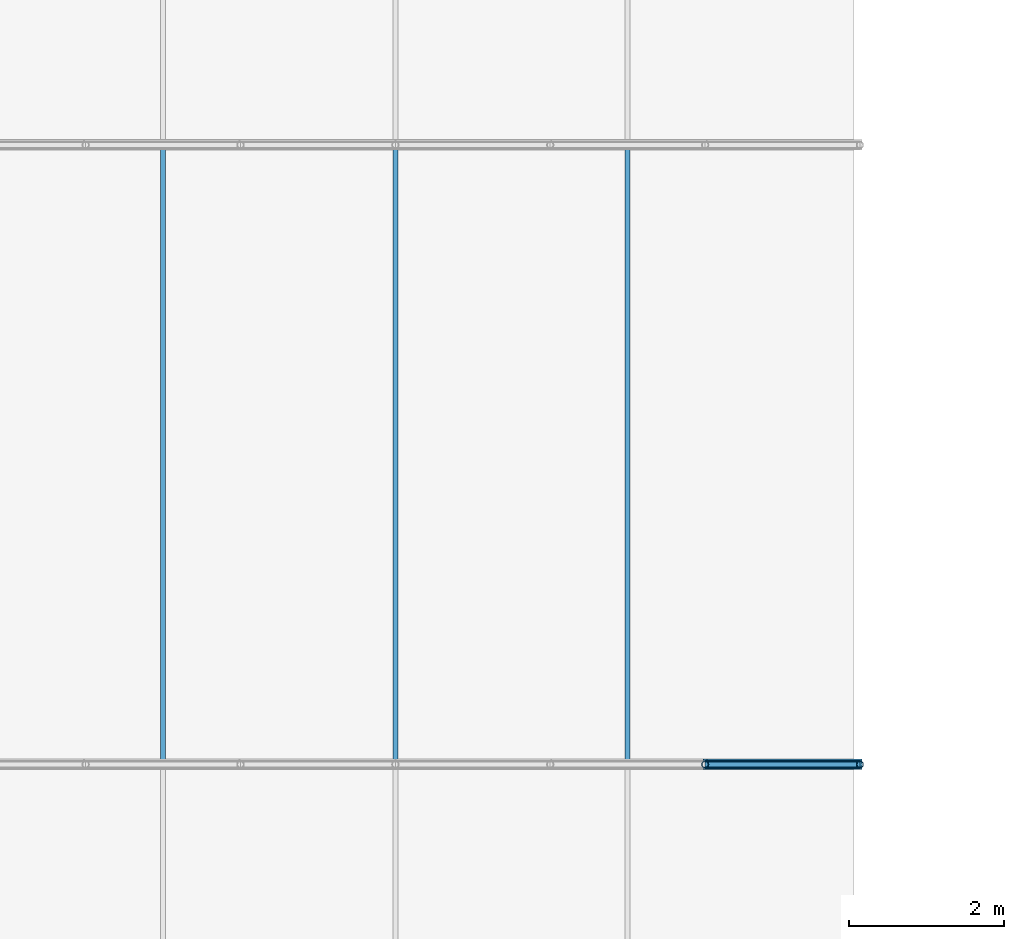
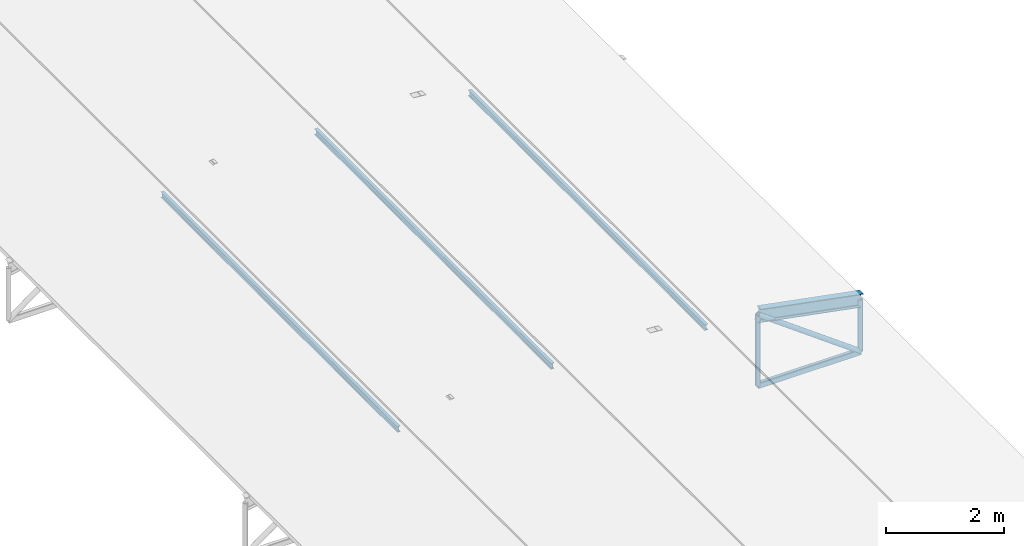
# One storey, part 37 of 54: 8 members.
"""IFC4 building model written with IfcOpenShell, lengths in metres."""

import ifcopenshell
import ifcopenshell.guid

model = None  # the IFC model being written
_history = None  # IfcOwnerHistory: only IFC2X3 demands one
_inside = {}  # id of a spatial element -> (the spatial element, [elements in it])
_under = {}  # id of a project, library or spatial element -> (it, [spatial elements below it])
_declared = {}  # id of a project -> (the project, [libraries it declares])
_typed = {}  # id of a type object -> (the type object, [elements of that type])
_made_of = {}  # id of a material, layer set ... -> (it, [elements and type objects made of it])


def new_model(schema):
    """Start an empty IFC model of exactly this schema.

    Asked for "IFC4X3", IfcOpenShell would pick the latest addendum, in which some entities
    have other attributes; the version numbers below select the first issue.
    IFC2X3 requires an IfcOwnerHistory on every rooted entity: one is made here for all.
    """
    global model, _history
    if schema == "IFC4X3":
        model = ifcopenshell.file(schema_version=(4, 3, 0, 0))
    else:
        model = ifcopenshell.file(schema=schema)
    _inside.clear()
    _under.clear()
    _declared.clear()
    _typed.clear()
    _made_of.clear()
    _history = None
    if model.schema == "IFC2X3":
        org = make("IfcOrganization", Name="unknown")
        user = make(
            "IfcPersonAndOrganization",
            ThePerson=make("IfcPerson", FamilyName="unknown"),
            TheOrganization=org,
        )
        app = make(
            "IfcApplication",
            ApplicationDeveloper=org,
            Version="unknown",
            ApplicationFullName="unknown",
            ApplicationIdentifier="unknown",
        )
        _history = make(
            "IfcOwnerHistory",
            OwningUser=user,
            OwningApplication=app,
            ChangeAction="ADDED",
            CreationDate=0,
        )
    return model


def make(cls, **values):
    """One entity of the class cls with the attributes given. An attribute that is None is left unset."""
    return model.create_entity(
        cls, **{name: value for name, value in values.items() if value is not None}
    )


def rooted(cls, **values):
    """An entity with a GlobalId (a new one), such as an element, a storey or a relation."""
    return make(cls, GlobalId=ifcopenshell.guid.new(), OwnerHistory=_history, **values)


def si_unit(unit_type, name, prefix=None):
    """IfcSIUnit, for example si_unit("LENGTHUNIT", "METRE", prefix="MILLI")."""
    return make("IfcSIUnit", UnitType=unit_type, Prefix=prefix, Name=name)


def derived_unit(unit_type, elements):
    """IfcDerivedUnit: a product of units, each with its exponent."""
    return make(
        "IfcDerivedUnit",
        Elements=[
            make("IfcDerivedUnitElement", Unit=unit, Exponent=power)
            for unit, power in elements
        ],
        UnitType=unit_type,
    )


def assignment(units):
    """IfcUnitAssignment: the units of a project."""
    return None if units is None else make("IfcUnitAssignment", Units=units)


def point(xyz):
    """IfcCartesianPoint."""
    return None if xyz is None else make("IfcCartesianPoint", Coordinates=xyz)


def direction(xyz):
    """IfcDirection."""
    return None if xyz is None else make("IfcDirection", DirectionRatios=xyz)


def frame(location, z_axis=None, x_axis=None):
    """IfcAxis2Placement3D, a coordinate frame: its origin and axes. An axis left out is left unset."""
    return make(
        "IfcAxis2Placement3D",
        Location=point(location),
        Axis=direction(z_axis),
        RefDirection=direction(x_axis),
    )


def frame_2d(location, x_axis=None):
    """IfcAxis2Placement2D, a coordinate frame in the plane: its origin and x axis."""
    return make(
        "IfcAxis2Placement2D", Location=point(location), RefDirection=direction(x_axis)
    )


def origin():
    """The frame at (0, 0, 0) with its axes left unset."""
    return frame((0.0, 0.0, 0.0))


def origin_2d():
    """The frame at (0, 0) in the plane with its x axis left unset."""
    return frame_2d((0.0, 0.0))


def place(relative_to, where):
    """IfcLocalPlacement: puts the frame where relative to a parent placement (None: the world)."""
    return make(
        "IfcLocalPlacement", PlacementRelTo=relative_to, RelativePlacement=where
    )


def context(
    kind, dimensions, precision=None, world=None, true_north=None, identifier=None
):
    """IfcGeometricRepresentationContext, for example the 3D "Model" context."""
    return make(
        "IfcGeometricRepresentationContext",
        ContextIdentifier=identifier,
        ContextType=kind,
        CoordinateSpaceDimension=dimensions,
        Precision=precision,
        WorldCoordinateSystem=world,
        TrueNorth=true_north,
    )


def subcontext(parent, identifier, kind, view, scale=None):
    """IfcGeometricRepresentationSubContext, for example "Body" below "Model"."""
    return make(
        "IfcGeometricRepresentationSubContext",
        ContextIdentifier=identifier,
        ContextType=kind,
        ParentContext=parent,
        TargetScale=scale,
        TargetView=view,
    )


def project(units=None, contexts=None):
    """IfcProject with its units and contexts."""
    return rooted(
        "IfcProject",
        Name="project",
        RepresentationContexts=contexts,
        UnitsInContext=assignment(units),
    )


def spatial(cls, under=None, at=None, **own):
    """A site, building, storey or space (cls), placed at a placement, below another one or the project."""
    s = rooted(cls, ObjectPlacement=at, **own)
    if under is not None:
        _under.setdefault(under.id(), (under, []))[1].append(s)
    return s


def profile(cls, at=None, kind="AREA", **sizes):
    """A parametric profile (cls). Its sizes go by their IFC names, for example OverallWidth=200.0."""
    return make(cls, ProfileType=kind, Position=at, **sizes)


def hollow_rectangle(**sizes):
    """IfcRectangleHollowProfileDef."""
    return profile("IfcRectangleHollowProfileDef", **sizes)


def hollow_circle(**sizes):
    """IfcCircleHollowProfileDef."""
    return profile("IfcCircleHollowProfileDef", **sizes)


def i_section(**sizes):
    """IfcIShapeProfileDef."""
    return profile("IfcIShapeProfileDef", **sizes)


def extrude(swept, where, along, depth):
    """IfcExtrudedAreaSolid: the profile swept, set in the frame where, extruded along a direction by depth."""
    return make(
        "IfcExtrudedAreaSolid",
        SweptArea=swept,
        Position=where,
        ExtrudedDirection=direction(along),
        Depth=depth,
    )


def shape(context_of_items, identifier, shape_type, items):
    """IfcShapeRepresentation: the items that make up one representation, for example the "Body"."""
    return make(
        "IfcShapeRepresentation",
        ContextOfItems=context_of_items,
        RepresentationIdentifier=identifier,
        RepresentationType=shape_type,
        Items=items,
    )


def material(Name=None, Category=None):
    """IfcMaterial."""
    return make("IfcMaterial", Name=Name, Category=Category)


def material_profile(
    of_material, cross_section, Name=None, Category=None, Priority=None
):
    """IfcMaterialProfile: a cross section and its material."""
    return make(
        "IfcMaterialProfile",
        Name=Name,
        Material=of_material,
        Profile=cross_section,
        Priority=Priority,
        Category=Category,
    )


def profile_set(profiles, Name=None, composite=None):
    """IfcMaterialProfileSet."""
    return make(
        "IfcMaterialProfileSet",
        Name=Name,
        MaterialProfiles=profiles,
        CompositeProfile=composite,
    )


def made_of(thing, what):
    """Note that an element or type object is made of a material, layer set ...; save() writes the relation."""
    if what is not None:
        _made_of.setdefault(what.id(), (what, []))[1].append(thing)
    return thing


def type_object(cls, material=None, **own):
    """A type object (cls), such as IfcWallType, which elements share."""
    return made_of(rooted(cls, **own), material)


def element(
    cls,
    number,
    at=None,
    inside=None,
    cuts=None,
    type_object=None,
    material=None,
    context=None,
    identifier="Body",
    shape_type=None,
    held_by="IfcProductDefinitionShape",
    body=None,
    shapes=None,
    **own,
):
    """One element of the class cls, such as IfcWall. Its Tag is "e" and its number.

    at: its placement. inside: the storey or other place that contains it. cuts: it is an
    opening in that element (IfcRelVoidsElement). A single representation is given by context,
    identifier, shape_type and body (its items); several are given by shapes. held_by: the class
    of the entity that holds the representations. save() writes the other relations.
    """
    e = rooted(cls, Tag="e%d" % number, ObjectPlacement=at, **own)
    if body is not None:
        shapes = [shape(context, identifier, shape_type, body)]
    if shapes is not None:
        e.Representation = make(held_by, Representations=shapes)
    if inside is not None:
        _inside.setdefault(inside.id(), (inside, []))[1].append(e)
    if cuts is not None:
        rooted(
            "IfcRelVoidsElement", RelatingBuildingElement=cuts, RelatedOpeningElement=e
        )
    if type_object is not None:
        _typed.setdefault(type_object.id(), (type_object, []))[1].append(e)
    return made_of(e, material)


def aggregate(whole, parts):
    """IfcRelAggregates: a whole, such as a stair, and the parts it consists of."""
    return rooted("IfcRelAggregates", RelatingObject=whole, RelatedObjects=parts)


def save(model, path):
    """Write the relations noted so far, then the file.

    IfcRelAggregates (storeys below a building ...), IfcRelContainedInSpatialStructure (elements
    in a storey), IfcRelDefinesByType, IfcRelAssociatesMaterial and IfcRelDeclares: one each for
    every whole, place, type object, material and project.
    """
    for whole, parts in _under.values():
        aggregate(whole, parts)
    for where, things in _inside.values():
        rooted(
            "IfcRelContainedInSpatialStructure",
            RelatedElements=things,
            RelatingStructure=where,
        )
    for kind, things in _typed.values():
        rooted("IfcRelDefinesByType", RelatedObjects=things, RelatingType=kind)
    for what, things in _made_of.values():
        rooted("IfcRelAssociatesMaterial", RelatedObjects=things, RelatingMaterial=what)
    for by, libraries in _declared.values():
        rooted("IfcRelDeclares", RelatingContext=by, RelatedDefinitions=libraries)
    model.write(path)


model = new_model("IFC4")

# Units and contexts
model_context = context("Model", 3, precision=1e-05, world=origin(), true_north=direction((0.0, 1.0)))
body_context = subcontext(model_context, "Body", "Model", "MODEL_VIEW")
ifc_project = project(units=[si_unit("LENGTHUNIT", "METRE"), si_unit("AREAUNIT", "SQUARE_METRE"), si_unit("VOLUMEUNIT", "CUBIC_METRE"), si_unit("PLANEANGLEUNIT", "RADIAN"), si_unit("MASSUNIT", "GRAM", prefix="KILO"), derived_unit("THERMALTRANSMITTANCEUNIT", [(si_unit("POWERUNIT", "WATT"), 1), (si_unit("LENGTHUNIT", "METRE"), -2), (si_unit("THERMODYNAMICTEMPERATUREUNIT", "KELVIN"), -1)])], contexts=[model_context])

# Site, building, storey
site_placement = place(None, origin())
site = spatial("IfcSite", under=ifc_project, at=site_placement, CompositionType="ELEMENT")
building_placement = place(site_placement, origin())
building = spatial("IfcBuilding", under=site, at=building_placement, Name="Keldorne Ridge Multi-Sports Centre", CompositionType="ELEMENT")
storey_placement = place(building_placement, frame((0.0, 0.0, 22.199951171875)))
storey = spatial("IfcBuildingStorey", under=building, at=storey_placement, Name="ROOF", CompositionType="ELEMENT", Elevation=22.199951171875)

# Members
ifc_material = material(Name="Steel S355", Category="steel")
ifc_material_profile_1 = material_profile(ifc_material, i_section(OverallWidth=0.06396484375, OverallDepth=0.1201171875, WebThickness=0.00439453125, FlangeThickness=0.00634765625, FilletRadius=0.007080078125, at=origin_2d()), Name="IPE 120")
ifc_profile_set_1 = profile_set([ifc_material_profile_1], Name="Steel S355")
member_type_1 = type_object("IfcMemberType", Name="MEM-PR-05", PredefinedType="PURLIN", material=ifc_profile_set_1)
for number, where, z_axis, x_axis, name in (
    (1, (87.0, 74.0, -12.179931640625), (0.0, 1.0, 0.0), (-1.0, 0.0, 0.0), "Public Passage canopy purlin 87.9"),
    (2, (90.0, 74.0, -11.929931640625), (0.0, 1.0, 0.0), (-1.0, 0.0, 0.0), "Public Passage canopy purlin 90.9"),
    (3, (93.0, 74.0, -12.179931640625), (0.0, 1.0, 0.0), (-1.0, 0.0, 0.0), "Public Passage canopy purlin 93.9"),
):
    element("IfcMember", number, at=place(storey_placement, frame(where, z_axis=z_axis, x_axis=x_axis)), inside=storey, type_object=member_type_1, Name=name, PredefinedType="PURLIN", context=body_context, shape_type="SweptSolid", body=[
        extrude(i_section(OverallWidth=0.06396484375, OverallDepth=0.1201171875, WebThickness=0.00439453125, FlangeThickness=0.00634765625, FilletRadius=0.007080078125, at=origin_2d()), origin(), (0.0, 0.0, 1.0), 8.0),
    ])
ifc_material_profile_2 = material_profile(ifc_material, i_section(OverallWidth=0.135009765625, OverallDepth=0.27001953125, WebThickness=0.006591796875, FlangeThickness=0.01025390625, FilletRadius=0.014892578125, at=origin_2d()), Name="IPE 270")
ifc_profile_set_2 = profile_set([ifc_material_profile_2], Name="Steel S355")
member_type_2 = type_object("IfcMemberType", Name="MEM-RF-02", PredefinedType="RAFTER", material=ifc_profile_set_2)
member_1_placement = place(storey_placement, frame((94.0, 74.0, -12.260009765625), z_axis=(0.982435006317, 0.0, -0.186605086649), x_axis=(0.0, 1.0, 0.0)))
element("IfcMember", 4, at=member_1_placement, inside=storey, type_object=member_type_2, Name="Public Passage bowstring arch top chord 09.6", PredefinedType="RAFTER", context=body_context, shape_type="SweptSolid", body=[
    extrude(i_section(OverallWidth=0.135009765625, OverallDepth=0.27001953125, WebThickness=0.006591796875, FlangeThickness=0.01025390625, FilletRadius=0.014892578125, at=origin_2d()), origin(), (0.0, 0.0, 1.0), 2.03564453125),
])
ifc_material_profile_3 = material_profile(ifc_material, hollow_rectangle(XDim=0.080078125, YDim=0.1201171875, WallThickness=0.008056640625, InnerFilletRadius=0.008056640625, OuterFilletRadius=0.01611328125, at=origin_2d()), Name="RHS 120x80x8")
ifc_profile_set_3 = profile_set([ifc_material_profile_3], Name="Steel S355")
member_type_3 = type_object("IfcMemberType", Name="MEM-TC-07", PredefinedType="CHORD", material=ifc_profile_set_3)
member_2_placement = place(storey_placement, frame((94.0, 74.0, -13.719970703125), z_axis=(1.0, 0.0, 0.0), x_axis=(0.0, 1.0, 0.0)))
element("IfcMember", 5, at=member_2_placement, inside=storey, type_object=member_type_3, Name="Public Passage bowstring tie chord 09.6", PredefinedType="CHORD", context=body_context, shape_type="SweptSolid", body=[
    extrude(hollow_rectangle(XDim=0.080078125, YDim=0.1201171875, WallThickness=0.008056640625, InnerFilletRadius=0.008056640625, OuterFilletRadius=0.01611328125, at=origin_2d()), origin(), (0.0, 0.0, 1.0), 2.0),
])
ifc_material_profile_4 = material_profile(ifc_material, hollow_circle(Radius=0.05078125, WallThickness=0.00634765625, at=origin_2d()), Name="CHS 101.6x6.3")
ifc_profile_set_4 = profile_set([ifc_material_profile_4], Name="Steel S355")
member_type_4 = type_object("IfcMemberType", Name="MEM-TD-05", PredefinedType="BRACE", material=ifc_profile_set_4)
member_3_placement = place(storey_placement, frame((94.0, 74.0, -12.260009765625), z_axis=(0.8076945033, 0.0, -0.589601212125), x_axis=(0.0, 1.0, 0.0)))
element("IfcMember", 6, at=member_3_placement, inside=storey, type_object=member_type_4, Name="Public Passage bowstring web diagonal 09.6", PredefinedType="BRACE", context=body_context, shape_type="SweptSolid", body=[
    extrude(hollow_circle(Radius=0.05078125, WallThickness=0.00634765625, at=origin_2d()), origin(), (0.0, 0.0, 1.0), 2.47607421875),
])
ifc_material_profile_5 = material_profile(ifc_material, hollow_circle(Radius=0.04443359375, WallThickness=0.0048828125, at=origin_2d()), Name="CHS 88.9x5")
ifc_profile_set_5 = profile_set([ifc_material_profile_5], Name="Steel S355")
member_type_5 = type_object("IfcMemberType", Name="MEM-TV-07", PredefinedType="STRUT", material=ifc_profile_set_5)
member_4_placement = place(storey_placement, frame((94.0, 74.0, -13.719970703125), z_axis=(0.0, 0.0, 1.0), x_axis=(1.0, 0.0, 0.0)))
element("IfcMember", 7, at=member_4_placement, inside=storey, type_object=member_type_5, Name="Public Passage bowstring hanger 09.6", PredefinedType="STRUT", context=body_context, shape_type="SweptSolid", body=[
    extrude(hollow_circle(Radius=0.04443359375, WallThickness=0.0048828125, at=origin_2d()), origin(), (0.0, 0.0, 1.0), 1.4599609375),
])
member_5_placement = place(storey_placement, frame((96.0, 74.0, -13.719970703125), z_axis=(0.0, 0.0, 1.0), x_axis=(1.0, 0.0, 0.0)))
element("IfcMember", 8, at=member_5_placement, inside=storey, type_object=member_type_5, Name="Public Passage bowstring hanger 09.7", PredefinedType="STRUT", context=body_context, shape_type="SweptSolid", body=[
    extrude(hollow_circle(Radius=0.04443359375, WallThickness=0.0048828125, at=origin_2d()), origin(), (0.0, 0.0, 1.0), 1.080078125),
])

save(model, "model.ifc")
